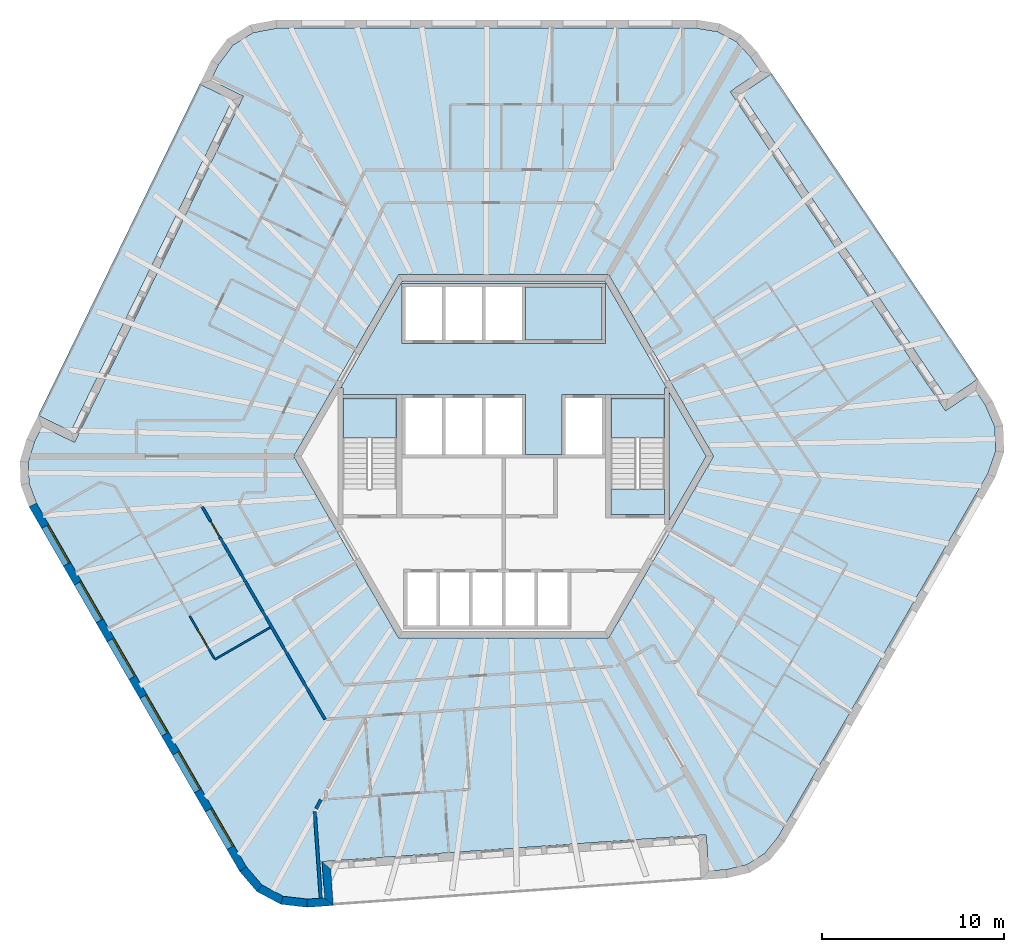
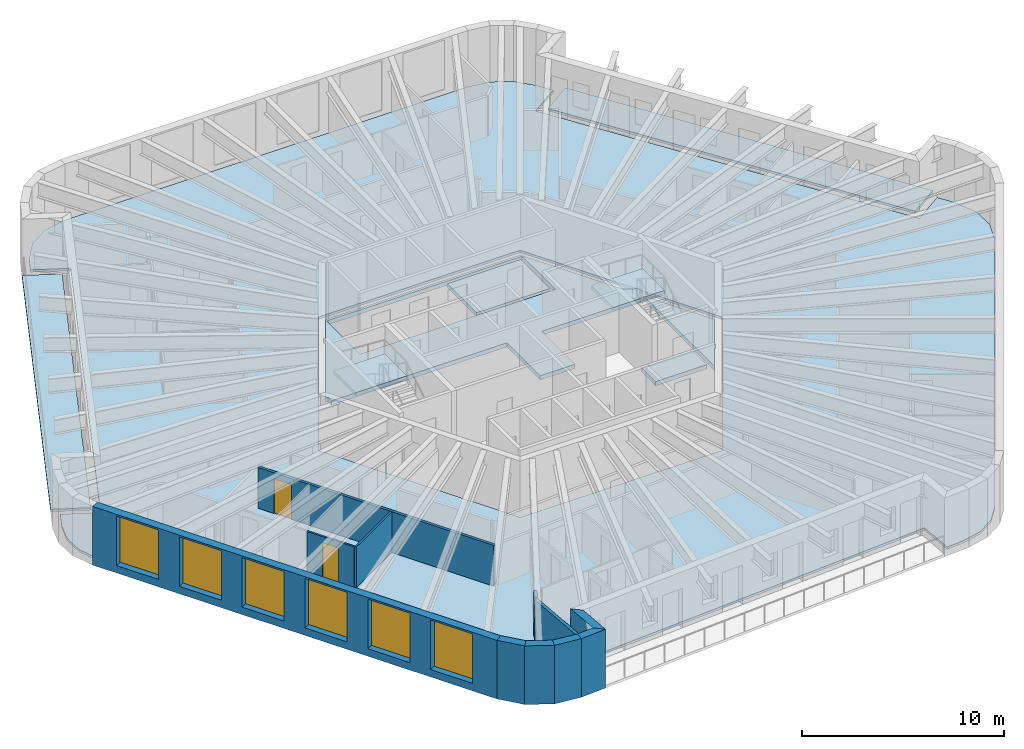
# One storey, part 2 of 11: 11 walls, 9 slabs, 6 windows, 2 doors, 8 openings, 2 elements without a shape of their own.
"""IFC4 building model written with IfcOpenShell, lengths in metres."""

from ifc_helpers import new_model, si_unit, direction, frame, frame_2d, origin, place, context, subcontext, project, spatial, polyline, rectangle, outline, extrude, material, layer, layer_set, type_object, element, fill, aggregate, save


model = new_model("IFC4")

# Units and contexts
model_context = context("Model", 3, precision=1e-05, world=origin(), true_north=direction((0.0, 1.0)))
body_context = subcontext(model_context, "Body", "Model", "MODEL_VIEW")
ifc_project = project(units=[si_unit("LENGTHUNIT", "METRE"), si_unit("AREAUNIT", "SQUARE_METRE"), si_unit("VOLUMEUNIT", "CUBIC_METRE"), si_unit("PLANEANGLEUNIT", "RADIAN"), si_unit("MASSUNIT", "GRAM", prefix="KILO")], contexts=[model_context])

# Site, building, storey
site_placement = place(None, origin())
site = spatial("IfcSite", under=ifc_project, at=site_placement, CompositionType="ELEMENT")
building_placement = place(site_placement, origin())
building = spatial("IfcBuilding", under=site, at=building_placement, Name="Tarnside Tower", CompositionType="ELEMENT")
storey_placement = place(building_placement, frame((0.0, 0.0, 372.89990234375)))
storey = spatial("IfcBuildingStorey", under=building, at=storey_placement, Name="L90", CompositionType="ELEMENT", Elevation=372.89990234375)

# Slabs
ifc_material_1 = material(Name="Concrete C35/45", Category="concrete")
ifc_layer_1 = layer(ifc_material_1, 0.14990234375)
ifc_layer_set_1 = layer_set([ifc_layer_1], Name="Composite floor slab 150")
slab_type_1 = type_object("IfcSlabType", Name="Composite floor slab 150", PredefinedType="FLOOR", material=ifc_layer_set_1)
slab_1_placement = place(storey_placement, frame((0.0, 0.0, -0.14990234375)))
element("IfcSlab", 1, at=slab_1_placement, inside=storey, type_object=slab_type_1, Name="Floor slab L90", PredefinedType="FLOOR", context=body_context, shape_type="SweptSolid", body=[
    extrude(outline(polyline([(11.769287109375, 23.3603515625), (12.785400390625, 22.8203125), (13.58740234375, 21.969970703125), (14.12255859375, 21.1767578125), (12.46435546875, 20.058349609375), (24.30908203125, 2.498046875), (25.967041015625, 3.616455078125), (26.50048828125, 2.82568359375), (27.02880859375, 1.6005859375), (27.07470703125, 0.288818359375), (26.633056640625, -0.97021484375), (15.0869140625, -20.968505859375), (14.345947265625, -21.872802734375), (13.370361328125, -22.482421875), (12.232666015625, -22.752197265625), (11.2783203125, -22.81884765625), (11.138916015625, -20.82373046875), (-9.9912109375, -22.30126953125), (-9.8515625, -24.29638671875), (-10.80322265625, -24.36279296875), (-12.12841796875, -24.2080078125), (-13.287353515625, -23.591796875), (-14.15673828125, -22.579833984375), (-25.702880859375, -2.581298828125), (-26.115478515625, -1.487548828125), (-26.155517578125, -0.337890625), (-25.8203125, 0.7822265625), (-25.40087890625, 1.64208984375), (-23.603271484375, 0.765380859375), (-14.31787109375, 19.80322265625), (-16.115478515625, 20.679931640625), (-15.697265625, 21.537353515625), (-14.900634765625, 22.607421875), (-13.787353515625, 23.302978515625), (-12.476318359375, 23.550048828125), (10.61572265625, 23.550048828125), (11.769287109375, 23.3603515625)]), holes=[polyline([(-11.547119140625, 0.0), (-5.7734375, -10.0), (5.7734375, -10.0), (11.547119140625, 0.0), (5.7734375, 10.0), (-5.7734375, 10.0), (-11.547119140625, 0.0)])]), origin(), (0.0, 0.0, 1.0), 0.14990234375),
])
ifc_material_2 = material(Name="Concrete C40/50", Category="concrete")
ifc_layer_2 = layer(ifc_material_2, 0.25)
ifc_layer_set_2 = layer_set([ifc_layer_2], Name="Core slab C40/50")
slab_type_2 = type_object("IfcSlabType", Name="Core slab C40/50", PredefinedType="FLOOR", material=ifc_layer_set_2)
slab_2_placement = place(storey_placement, frame((0.0, 0.0, -0.25)))
element("IfcSlab", 2, at=slab_2_placement, inside=storey, type_object=slab_type_2, Name="L90 core floor slab 1", PredefinedType="FLOOR", context=body_context, shape_type="SweptSolid", body=[
    extrude(outline(polyline([(5.5712890625, 9.64990234375), (8.97509765625, 3.7548828125), (8.85009765625, 3.7548828125), (8.85009765625, 3.39990234375), (5.89990234375, 3.39990234375), (5.60009765625, 3.39990234375), (3.39990234375, 3.39990234375), (3.199951171875, 3.39990234375), (3.199951171875, 0.10009765625), (1.199951171875, 0.10009765625), (1.199951171875, 3.39990234375), (1.0, 3.39990234375), (-5.60009765625, 3.39990234375), (-5.89990234375, 3.39990234375), (-8.85009765625, 3.39990234375), (-8.85009765625, 3.7548828125), (-8.97509765625, 3.7548828125), (-5.5712890625, 9.64990234375), (5.5712890625, 9.64990234375)]), holes=[polyline([(-5.60009765625, 6.199951171875), (5.60009765625, 6.199951171875), (5.60009765625, 6.39990234375), (5.60009765625, 9.300048828125), (5.60009765625, 9.5), (-5.60009765625, 9.5), (-5.60009765625, 9.300048828125), (-5.60009765625, 6.39990234375), (-5.60009765625, 6.199951171875)])]), origin(), (0.0, 0.0, 1.0), 0.25),
])
slab_3_placement = place(storey_placement, frame((0.0, 0.0, -0.25)))
element("IfcSlab", 3, at=slab_3_placement, inside=storey, type_object=slab_type_2, Name="L90 core floor slab 4", PredefinedType="FLOOR", context=body_context, shape_type="SweptSolid", body=[
    extrude(outline(polyline([(9.10009765625, 3.538330078125), (11.142822265625, 0.0), (9.10009765625, -3.538330078125), (9.10009765625, 3.538330078125)])), origin(), (0.0, 0.0, 1.0), 0.25),
])
slab_4_placement = place(storey_placement, frame((0.0, 0.0, -0.25)))
element("IfcSlab", 4, at=slab_4_placement, inside=storey, type_object=slab_type_2, Name="L90 core floor slab 6", PredefinedType="FLOOR", context=body_context, shape_type="SweptSolid", body=[
    extrude(outline(polyline([(5.89990234375, -1.800048828125), (8.85009765625, -1.800048828125), (8.85009765625, -3.199951171875), (5.89990234375, -3.199951171875), (5.89990234375, -1.800048828125)])), origin(), (0.0, 0.0, 1.0), 0.25),
])
slab_5_placement = place(storey_placement, frame((0.0, 0.0, -0.25)))
element("IfcSlab", 5, at=slab_5_placement, inside=storey, type_object=slab_type_2, Name="L90 core floor slab 7", PredefinedType="FLOOR", context=body_context, shape_type="SweptSolid", body=[
    extrude(outline(polyline([(5.39990234375, 6.39990234375), (1.199951171875, 6.39990234375), (1.199951171875, 9.300048828125), (5.39990234375, 9.300048828125), (5.39990234375, 6.39990234375)])), origin(), (0.0, 0.0, 1.0), 0.25),
])
ifc_material_3 = material(Name="Timber decking", Category="wood")
ifc_layer_3 = layer(ifc_material_3, 0.0400390625)
ifc_material_4 = material(Name="Concrete C60/75 precast", Category="concrete")
ifc_layer_4 = layer(ifc_material_4, 0.110107421875)
ifc_layer_set_3 = layer_set([ifc_layer_3, ifc_layer_4], Name="Loggia deck 150")
slab_type_3 = type_object("IfcSlabType", Name="Loggia deck 150", PredefinedType="FLOOR", material=ifc_layer_set_3)
slab_6_placement = place(storey_placement, frame((0.0, 0.0, -0.14990234375)))
element("IfcSlab", 6, at=slab_6_placement, inside=storey, type_object=slab_type_3, Name="Loggia deck L90 F2", PredefinedType="FLOOR", context=body_context, shape_type="SweptSolid", body=[
    extrude(outline(polyline([(-14.919677734375, 19.595947265625), (-23.810546875, 1.366943359375), (-25.608154296875, 2.24365234375), (-16.71728515625, 20.47265625), (-14.919677734375, 19.595947265625)])), origin(), (0.0, 0.0, 1.0), 0.14990234375),
])
slab_7_placement = place(storey_placement, frame((0.0, 0.0, -0.14990234375)))
element("IfcSlab", 7, at=slab_7_placement, inside=storey, type_object=slab_type_3, Name="Loggia deck L90 F6", PredefinedType="FLOOR", context=body_context, shape_type="SweptSolid", body=[
    extrude(outline(polyline([(24.430419921875, 3.122802734375), (13.089111328125, 19.93701171875), (14.7470703125, 21.055419921875), (26.088623046875, 4.2412109375), (24.430419921875, 3.122802734375)])), origin(), (0.0, 0.0, 1.0), 0.14990234375),
])

# Stair, slab
stair_type = type_object("IfcStairType", Name="Exit stair 1400 clear", PredefinedType="HALF_TURN_STAIR", material=ifc_material_2)
stair_1_placement = place(storey_placement, origin())
stair_1 = element("IfcStair", 8, at=stair_1_placement, inside=storey, type_object=stair_type, Name="L90 Exit stair 1", PredefinedType="HALF_TURN_STAIR")
ifc_layer_5 = layer(ifc_material_2, 0.199951171875)
ifc_layer_set_4 = layer_set([ifc_layer_5], Name="Stair landing 200 C40/50")
slab_type_4 = type_object("IfcSlabType", Name="Stair landing 200 C40/50", PredefinedType="LANDING", material=ifc_layer_set_4)
slab_8_placement = place(storey_placement, frame((0.0, 0.0, 1.75)))
slab_8 = element("IfcSlab", 9, at=slab_8_placement, type_object=slab_type_4, Name="ST1 landing 1", PredefinedType="LANDING", context=body_context, shape_type="SweptSolid", body=[
    extrude(outline(polyline([(8.85009765625, 1.0), (8.85009765625, 3.199951171875), (5.89990234375, 3.199951171875), (5.89990234375, 1.0), (8.85009765625, 1.0)])), origin(), (0.0, 0.0, 1.0), 0.2001953125),
])
aggregate(stair_1, [slab_8])

stair_2_placement = place(storey_placement, origin())
stair_2 = element("IfcStair", 10, at=stair_2_placement, inside=storey, type_object=stair_type, Name="L90 Exit stair 2", PredefinedType="HALF_TURN_STAIR")
slab_9_placement = place(storey_placement, frame((0.0, 0.0, 1.75)))
slab_9 = element("IfcSlab", 11, at=slab_9_placement, type_object=slab_type_4, Name="ST2 landing 1", PredefinedType="LANDING", context=body_context, shape_type="SweptSolid", body=[
    extrude(outline(polyline([(-5.89990234375, 1.0), (-5.89990234375, 3.199951171875), (-8.85009765625, 3.199951171875), (-8.85009765625, 1.0), (-5.89990234375, 1.0)])), origin(), (0.0, 0.0, 1.0), 0.2001953125),
])
aggregate(stair_2, [slab_9])

# Wall, opening, door
ifc_material_5 = material(Name="Gypsum board partition on steel studs", Category="steel")
ifc_layer_6 = layer(ifc_material_5, 0.14990234375)
ifc_layer_set_5 = layer_set([ifc_layer_6], Name="Corridor wall 150 EI 60")
wall_type_1 = type_object("IfcWallType", Name="Corridor wall 150 EI 60", PredefinedType="PARTITIONING", material=ifc_layer_set_5)
wall_1_placement = place(storey_placement, frame((-16.58349609375, -2.776611328125, 0.0), z_axis=(0.0, 0.0, 1.0), x_axis=(0.50000467473, -0.866022704811, 0.0)))
wall_1 = element("IfcWall", 12, at=wall_1_placement, inside=storey, type_object=wall_type_1, Name="Corridor wall 29027", PredefinedType="PARTITIONING", context=body_context, shape_type="SweptSolid", body=[
    extrude(rectangle(XDim=13.503662109375, YDim=0.14990234375, at=frame_2d((6.751953125, 0.0))), origin(), (0.0, 0.0, 1.0), 2.47021484375),
])
opening_1_placement = place(wall_1_placement, frame((0.925048828125, 0.0, 0.0)))
opening_1 = element("IfcOpeningElement", 13, at=opening_1_placement, cuts=wall_1, Name="Opening D-E1", PredefinedType="OPENING", context=body_context, shape_type="SweptSolid", body=[
    extrude(rectangle(XDim=1.0, YDim=2.10009765625, at=frame_2d((0.5, 1.050048828125))), frame((0.0, 0.0849609375, 0.0), z_axis=(0.0, -1.0, 0.0), x_axis=(1.0, 0.0, 0.0)), (0.0, 0.0, 1.0), 0.169921875),
])
ifc_material_6 = material(Name="Timber door leaf", Category="wood")
door_type_1 = type_object("IfcDoorType", Name="Unit entrance door 1000 FD30S", OperationType="NOTDEFINED", PredefinedType="DOOR", material=ifc_material_6)
door_1_placement = place(opening_1_placement, origin())
door_1 = element("IfcDoor", 14, at=door_1_placement, inside=storey, type_object=door_type_1, Name="Unit door 29021", OperationType="SINGLE_SWING_RIGHT", OverallHeight=2.10009765625, OverallWidth=1.0, PredefinedType="DOOR", context=body_context, shape_type="SweptSolid", body=[
    extrude(rectangle(XDim=1.0, YDim=2.10009765625, at=frame_2d((0.5, 1.050048828125))), frame((0.0, 0.02490234375, 0.0), z_axis=(0.0, -1.0, 0.0), x_axis=(1.0, 0.0, 0.0)), (0.0, 0.0, 1.0), 0.050048828125),
])
fill(opening_1, door_1)

# Walls
ifc_layer_7 = layer(ifc_material_5, 0.179931640625)
ifc_layer_set_6 = layer_set([ifc_layer_7], Name="Demising wall 180 EI 60")
wall_type_2 = type_object("IfcWallType", Name="Demising wall 180 EI 60", PredefinedType="PARTITIONING", material=ifc_layer_set_6)
wall_2_placement = place(storey_placement, frame((-10.060302734375, -24.31103515625, 0.0), z_axis=(0.0, 0.0, 1.0), x_axis=(-0.069731958306, 0.997565764244, 0.0)))
element("IfcWall", 15, at=wall_2_placement, inside=storey, type_object=wall_type_2, Name="Demising wall 29111", PredefinedType="PARTITIONING", context=body_context, shape_type="SweptSolid", body=[
    extrude(rectangle(XDim=4.775634765625, YDim=0.179931640625, at=frame_2d((2.3876953125, 0.0))), origin(), (0.0, 0.0, 1.0), 2.47021484375),
])
wall_3_placement = place(storey_placement, frame((-10.313720703125, -19.397216796875, 0.0), z_axis=(0.0, 0.0, 1.0), x_axis=(0.469648701082, 0.882853383961, 0.0)))
element("IfcWall", 16, at=wall_3_placement, inside=storey, type_object=wall_type_2, Name="Demising wall 29112", PredefinedType="PARTITIONING", context=body_context, shape_type="SweptSolid", body=[
    extrude(rectangle(XDim=0.566650390625, YDim=0.179931640625, at=frame_2d((0.283203125, 0.0))), origin(), (0.0, 0.0, 1.0), 2.47021484375),
])
ifc_material_7 = material(Name="Dark zinc cladding")
ifc_layer_8 = layer(ifc_material_7, 0.10205078125)
ifc_layer_9 = layer(ifc_material_4, 0.248046875)
ifc_material_8 = material(Name="Mineral wool insulation")
ifc_layer_10 = layer(ifc_material_8, 0.10009765625)
ifc_layer_set_7 = layer_set([ifc_layer_8, ifc_layer_9, ifc_layer_10], Name="Loggia wall 450 zinc faced")
wall_type_3 = type_object("IfcWallType", Name="Loggia wall 450 zinc faced", PredefinedType="SOLIDWALL", material=ifc_layer_set_7)
wall_4_placement = place(storey_placement, frame((-10.80859375, -24.5888671875, -0.14990234375), z_axis=(0.0, 0.0, 1.0), x_axis=(0.997562933087, 0.069772448216, 0.0)))
element("IfcWall", 17, at=wall_4_placement, inside=storey, type_object=wall_type_3, Name="Tube wall L90 F4 stub 16", PredefinedType="SOLIDWALL", context=body_context, shape_type="SweptSolid", body=[
    extrude(outline(polyline([(-0.02099609375, -0.22509765625), (1.42529296875, -0.22509765625), (0.97509765625, 0.22509765625), (0.02099609375, 0.22509765625), (-0.02099609375, -0.22509765625)])), origin(), (0.0, 0.0, 1.0), 3.550048828125),
])
wall_5_placement = place(storey_placement, frame((-9.611328125, -24.505126953125, -0.14990234375), z_axis=(0.0, 0.0, 1.0), x_axis=(-0.069824268692, 0.99755930726, 0.0)))
element("IfcWall", 18, at=wall_5_placement, inside=storey, type_object=wall_type_3, Name="Tube wall L90 F4 return 17", PredefinedType="SOLIDWALL", context=body_context, shape_type="SweptSolid", body=[
    extrude(outline(polyline([(-0.224853515625, -0.22509765625), (1.77490234375, -0.22509765625), (2.22509765625, 0.22509765625), (0.224853515625, 0.22509765625), (-0.224853515625, -0.22509765625)])), origin(), (0.0, 0.0, 1.0), 3.550048828125),
])
ifc_layer_11 = layer(ifc_material_5, 0.10009765625)
ifc_layer_set_8 = layer_set([ifc_layer_11], Name="Partition 100")
wall_type_4 = type_object("IfcWallType", Name="Partition 100", PredefinedType="PARTITIONING", material=ifc_layer_set_8)
wall_6_placement = place(storey_placement, frame((-12.8359375, -9.417724609375, 0.0), z_axis=(0.0, 0.0, 1.0), x_axis=(-0.866031034943, -0.499990246421, 0.0)))
element("IfcWall", 19, at=wall_6_placement, inside=storey, type_object=wall_type_4, Name="Partition wall 29109", PredefinedType="PARTITIONING", context=body_context, shape_type="SweptSolid", body=[
    extrude(rectangle(XDim=3.52490234375, YDim=0.10009765625, at=frame_2d((1.762451171875, 0.0))), origin(), (0.0, 0.0, 1.0), 2.47021484375),
])

# Wall, opening, door
wall_7_placement = place(storey_placement, frame((-15.91357421875, -11.136962890625, 0.0), z_axis=(0.0, 0.0, 1.0), x_axis=(-0.50000943426, 0.866019956843, 0.0)))
wall_7 = element("IfcWall", 20, at=wall_7_placement, inside=storey, type_object=wall_type_4, Name="Partition wall 29110", PredefinedType="PARTITIONING", context=body_context, shape_type="SweptSolid", body=[
    extrude(rectangle(XDim=2.7001953125, YDim=0.10009765625, at=frame_2d((1.35009765625, 0.0))), origin(), (0.0, 0.0, 1.0), 2.47021484375),
])
opening_2_placement = place(wall_7_placement, frame((0.89990234375, 0.0, 0.0)))
opening_2 = element("IfcOpeningElement", 21, at=opening_2_placement, cuts=wall_7, Name="Opening D-I1", PredefinedType="OPENING", context=body_context, shape_type="SweptSolid", body=[
    extrude(rectangle(XDim=0.89990234375, YDim=2.10009765625, at=frame_2d((0.449951171875, 1.050048828125))), frame((0.0, 0.06005859375, 0.0), z_axis=(0.0, -1.0, 0.0), x_axis=(1.0, 0.0, 0.0)), (0.0, 0.0, 1.0), 0.1201171875),
])
door_type_2 = type_object("IfcDoorType", Name="Internal door 900", OperationType="NOTDEFINED", PredefinedType="DOOR", material=ifc_material_6)
door_2_placement = place(opening_2_placement, origin())
door_2 = element("IfcDoor", 22, at=door_2_placement, inside=storey, type_object=door_type_2, Name="Internal door 29030", OperationType="SINGLE_SWING_LEFT", OverallHeight=2.10009765625, OverallWidth=0.89990234375, PredefinedType="DOOR", context=body_context, shape_type="SweptSolid", body=[
    extrude(rectangle(XDim=0.89990234375, YDim=2.10009765625, at=frame_2d((0.449951171875, 1.050048828125))), frame((0.0, 0.02490234375, 0.0), z_axis=(0.0, -1.0, 0.0), x_axis=(1.0, 0.0, 0.0)), (0.0, 0.0, 1.0), 0.050048828125),
])
fill(opening_2, door_2)

# Wall, openings, windows
ifc_material_9 = material(Name="Facing brick", Category="masonry")
ifc_layer_12 = layer(ifc_material_9, 0.10205078125)
ifc_layer_13 = layer(ifc_material_4, 0.248046875)
ifc_layer_14 = layer(ifc_material_8, 0.10009765625)
ifc_layer_set_9 = layer_set([ifc_layer_12, ifc_layer_13, ifc_layer_14], Name="Tube wall 450 brick faced")
wall_type_5 = type_object("IfcWallType", Name="Tube wall 450 brick faced", PredefinedType="SOLIDWALL", material=ifc_layer_set_9)
wall_8_placement = place(storey_placement, frame((-25.90673828125, -2.677978515625, -0.14990234375), z_axis=(0.0, 0.0, 1.0), x_axis=(0.499997453958, -0.866026873738, 0.0)))
wall_8 = element("IfcWall", 23, at=wall_8_placement, inside=storey, type_object=wall_type_5, Name="Tube wall L90 F3 flush 12", PredefinedType="SOLIDWALL", context=body_context, shape_type="SweptSolid", body=[
    extrude(outline(polyline([(-0.018310546875, -0.22509765625), (23.15234375, -0.22509765625), (23.1103515625, 0.22509765625), (0.018310546875, 0.22509765625), (-0.018310546875, -0.22509765625)])), origin(), (0.0, 0.0, 1.0), 3.550048828125),
])
opening_3_placement = place(wall_8_placement, frame((1.36572265625, 0.0, 0.449951171875)))
opening_3 = element("IfcOpeningElement", 24, at=opening_3_placement, cuts=wall_8, Name="Opening WP", PredefinedType="OPENING", context=body_context, shape_type="SweptSolid", body=[
    extrude(rectangle(XDim=2.39990234375, YDim=3.0, at=frame_2d((1.199951171875, 1.5))), frame((0.0, 0.23486328125, 0.0), z_axis=(0.0, -1.0, 0.0), x_axis=(1.0, 0.0, 0.0)), (0.0, 0.0, 1.0), 0.469970703125),
])
opening_4_placement = place(wall_8_placement, frame((4.9658203125, 0.0, 0.449951171875)))
opening_4 = element("IfcOpeningElement", 25, at=opening_4_placement, cuts=wall_8, Name="Opening WP", PredefinedType="OPENING", context=body_context, shape_type="SweptSolid", body=[
    extrude(rectangle(XDim=2.39990234375, YDim=3.0, at=frame_2d((1.199951171875, 1.5))), frame((0.0, 0.23486328125, 0.0), z_axis=(0.0, -1.0, 0.0), x_axis=(1.0, 0.0, 0.0)), (0.0, 0.0, 1.0), 0.469970703125),
])
opening_5_placement = place(wall_8_placement, frame((8.56591796875, 0.0, 0.449951171875)))
opening_5 = element("IfcOpeningElement", 26, at=opening_5_placement, cuts=wall_8, Name="Opening WP", PredefinedType="OPENING", context=body_context, shape_type="SweptSolid", body=[
    extrude(rectangle(XDim=2.39990234375, YDim=3.0, at=frame_2d((1.199951171875, 1.5))), frame((0.0, 0.23486328125, 0.0), z_axis=(0.0, -1.0, 0.0), x_axis=(1.0, 0.0, 0.0)), (0.0, 0.0, 1.0), 0.469970703125),
])
opening_6_placement = place(wall_8_placement, frame((12.165771484375, 0.0, 0.449951171875)))
opening_6 = element("IfcOpeningElement", 27, at=opening_6_placement, cuts=wall_8, Name="Opening WP", PredefinedType="OPENING", context=body_context, shape_type="SweptSolid", body=[
    extrude(rectangle(XDim=2.39990234375, YDim=3.0, at=frame_2d((1.199951171875, 1.5))), frame((0.0, 0.23486328125, 0.0), z_axis=(0.0, -1.0, 0.0), x_axis=(1.0, 0.0, 0.0)), (0.0, 0.0, 1.0), 0.469970703125),
])
opening_7_placement = place(wall_8_placement, frame((15.765869140625, 0.0, 0.449951171875)))
opening_7 = element("IfcOpeningElement", 28, at=opening_7_placement, cuts=wall_8, Name="Opening WP", PredefinedType="OPENING", context=body_context, shape_type="SweptSolid", body=[
    extrude(rectangle(XDim=2.39990234375, YDim=3.0, at=frame_2d((1.199951171875, 1.5))), frame((0.0, 0.23486328125, 0.0), z_axis=(0.0, -1.0, 0.0), x_axis=(1.0, 0.0, 0.0)), (0.0, 0.0, 1.0), 0.469970703125),
])
opening_8_placement = place(wall_8_placement, frame((19.36572265625, 0.0, 0.449951171875)))
opening_8 = element("IfcOpeningElement", 29, at=opening_8_placement, cuts=wall_8, Name="Opening WP", PredefinedType="OPENING", context=body_context, shape_type="SweptSolid", body=[
    extrude(rectangle(XDim=2.39990234375, YDim=3.0, at=frame_2d((1.199951171875, 1.5))), frame((0.0, 0.23486328125, 0.0), z_axis=(0.0, -1.0, 0.0), x_axis=(1.0, 0.0, 0.0)), (0.0, 0.0, 1.0), 0.469970703125),
])
ifc_material_10 = material(Name="Aluminium-framed double glazing", Category="aluminium")
window_type = type_object("IfcWindowType", Name="Penthouse window 2400 x 3000", PartitioningType="DOUBLE_PANEL_VERTICAL", PredefinedType="WINDOW", material=ifc_material_10)
window_1_placement = place(opening_3_placement, frame((0.0, 0.1552734375, 0.0)))
window_1 = element("IfcWindow", 30, at=window_1_placement, inside=storey, type_object=window_type, Name="E.WN.L90.F3.00", OverallHeight=3.0, OverallWidth=2.39990234375, PartitioningType="DOUBLE_PANEL_VERTICAL", PredefinedType="WINDOW", context=body_context, shape_type="SweptSolid", body=[
    extrude(rectangle(XDim=2.39990234375, YDim=3.0, at=frame_2d((1.199951171875, 1.5))), frame((0.0, 0.030029296875, 0.0), z_axis=(0.0, -1.0, 0.0), x_axis=(1.0, 0.0, 0.0)), (0.0, 0.0, 1.0), 0.06005859375),
])
fill(opening_3, window_1)
window_2_placement = place(opening_4_placement, frame((0.0, 0.1552734375, 0.0)))
window_2 = element("IfcWindow", 31, at=window_2_placement, inside=storey, type_object=window_type, Name="E.WN.L90.F3.01", OverallHeight=3.0, OverallWidth=2.39990234375, PartitioningType="DOUBLE_PANEL_VERTICAL", PredefinedType="WINDOW", context=body_context, shape_type="SweptSolid", body=[
    extrude(rectangle(XDim=2.39990234375, YDim=3.0, at=frame_2d((1.199951171875, 1.5))), frame((0.0, 0.030029296875, 0.0), z_axis=(0.0, -1.0, 0.0), x_axis=(1.0, 0.0, 0.0)), (0.0, 0.0, 1.0), 0.06005859375),
])
fill(opening_4, window_2)
window_3_placement = place(opening_5_placement, frame((0.0, 0.1552734375, 0.0)))
window_3 = element("IfcWindow", 32, at=window_3_placement, inside=storey, type_object=window_type, Name="E.WN.L90.F3.02", OverallHeight=3.0, OverallWidth=2.39990234375, PartitioningType="DOUBLE_PANEL_VERTICAL", PredefinedType="WINDOW", context=body_context, shape_type="SweptSolid", body=[
    extrude(rectangle(XDim=2.39990234375, YDim=3.0, at=frame_2d((1.199951171875, 1.5))), frame((0.0, 0.030029296875, 0.0), z_axis=(0.0, -1.0, 0.0), x_axis=(1.0, 0.0, 0.0)), (0.0, 0.0, 1.0), 0.06005859375),
])
fill(opening_5, window_3)
window_4_placement = place(opening_6_placement, frame((0.0, 0.1552734375, 0.0)))
window_4 = element("IfcWindow", 33, at=window_4_placement, inside=storey, type_object=window_type, Name="E.WN.L90.F3.03", OverallHeight=3.0, OverallWidth=2.39990234375, PartitioningType="DOUBLE_PANEL_VERTICAL", PredefinedType="WINDOW", context=body_context, shape_type="SweptSolid", body=[
    extrude(rectangle(XDim=2.39990234375, YDim=3.0, at=frame_2d((1.199951171875, 1.5))), frame((0.0, 0.030029296875, 0.0), z_axis=(0.0, -1.0, 0.0), x_axis=(1.0, 0.0, 0.0)), (0.0, 0.0, 1.0), 0.06005859375),
])
fill(opening_6, window_4)
window_5_placement = place(opening_7_placement, frame((0.0, 0.1552734375, 0.0)))
window_5 = element("IfcWindow", 34, at=window_5_placement, inside=storey, type_object=window_type, Name="E.WN.L90.F3.04", OverallHeight=3.0, OverallWidth=2.39990234375, PartitioningType="DOUBLE_PANEL_VERTICAL", PredefinedType="WINDOW", context=body_context, shape_type="SweptSolid", body=[
    extrude(rectangle(XDim=2.39990234375, YDim=3.0, at=frame_2d((1.199951171875, 1.5))), frame((0.0, 0.030029296875, 0.0), z_axis=(0.0, -1.0, 0.0), x_axis=(1.0, 0.0, 0.0)), (0.0, 0.0, 1.0), 0.06005859375),
])
fill(opening_7, window_5)
window_6_placement = place(opening_8_placement, frame((0.0, 0.1552734375, 0.0)))
window_6 = element("IfcWindow", 35, at=window_6_placement, inside=storey, type_object=window_type, Name="E.WN.L90.F3.05", OverallHeight=3.0, OverallWidth=2.39990234375, PartitioningType="DOUBLE_PANEL_VERTICAL", PredefinedType="WINDOW", context=body_context, shape_type="SweptSolid", body=[
    extrude(rectangle(XDim=2.39990234375, YDim=3.0, at=frame_2d((1.199951171875, 1.5))), frame((0.0, 0.030029296875, 0.0), z_axis=(0.0, -1.0, 0.0), x_axis=(1.0, 0.0, 0.0)), (0.0, 0.0, 1.0), 0.06005859375),
])
fill(opening_8, window_6)

# Walls
wall_9_placement = place(storey_placement, frame((-14.341064453125, -22.71044921875, -0.14990234375), z_axis=(0.0, 0.0, 1.0), x_axis=(0.651625422694, -0.758540907597, 0.0)))
element("IfcWall", 36, at=wall_9_placement, inside=storey, type_object=wall_type_5, Name="Tube wall L90 F3 chord 13", PredefinedType="SOLIDWALL", context=body_context, shape_type="SweptSolid", body=[
    extrude(outline(polyline([(-0.02099609375, -0.22509765625), (1.43994140625, -0.22509765625), (1.35498046875, 0.22509765625), (0.02099609375, 0.22509765625), (-0.02099609375, -0.22509765625)])), origin(), (0.0, 0.0, 1.0), 3.550048828125),
])
wall_10_placement = place(storey_placement, frame((-13.430419921875, -23.7705078125, -0.14990234375), z_axis=(0.0, 0.0, 1.0), x_axis=(0.882966382564, -0.469436222784, 0.0)))
element("IfcWall", 37, at=wall_10_placement, inside=storey, type_object=wall_type_5, Name="Tube wall L90 F3 chord 14", PredefinedType="SOLIDWALL", context=body_context, shape_type="SweptSolid", body=[
    extrude(outline(polyline([(-0.04248046875, -0.22509765625), (1.43994140625, -0.22509765625), (1.35498046875, 0.22509765625), (0.04248046875, 0.22509765625), (-0.04248046875, -0.22509765625)])), origin(), (0.0, 0.0, 1.0), 3.550048828125),
])
wall_11_placement = place(storey_placement, frame((-12.196533203125, -24.426513671875, -0.14990234375), z_axis=(0.0, 0.0, 1.0), x_axis=(0.993227902261, -0.116182331575, 0.0)))
element("IfcWall", 38, at=wall_11_placement, inside=storey, type_object=wall_type_5, Name="Tube wall L90 F3 chord 15", PredefinedType="SOLIDWALL", context=body_context, shape_type="SweptSolid", body=[
    extrude(outline(polyline([(-0.04248046875, -0.22509765625), (1.41845703125, -0.22509765625), (1.37646484375, 0.22509765625), (0.04248046875, 0.22509765625), (-0.04248046875, -0.22509765625)])), origin(), (0.0, 0.0, 1.0), 3.550048828125),
])

save(model, "model.ifc")
